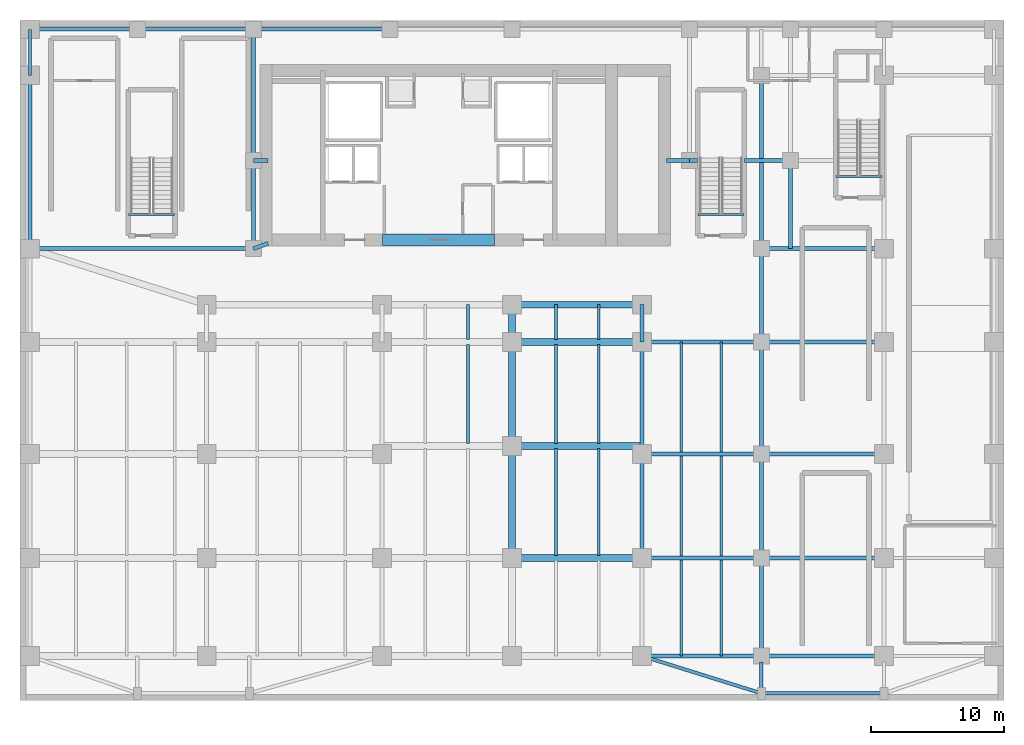
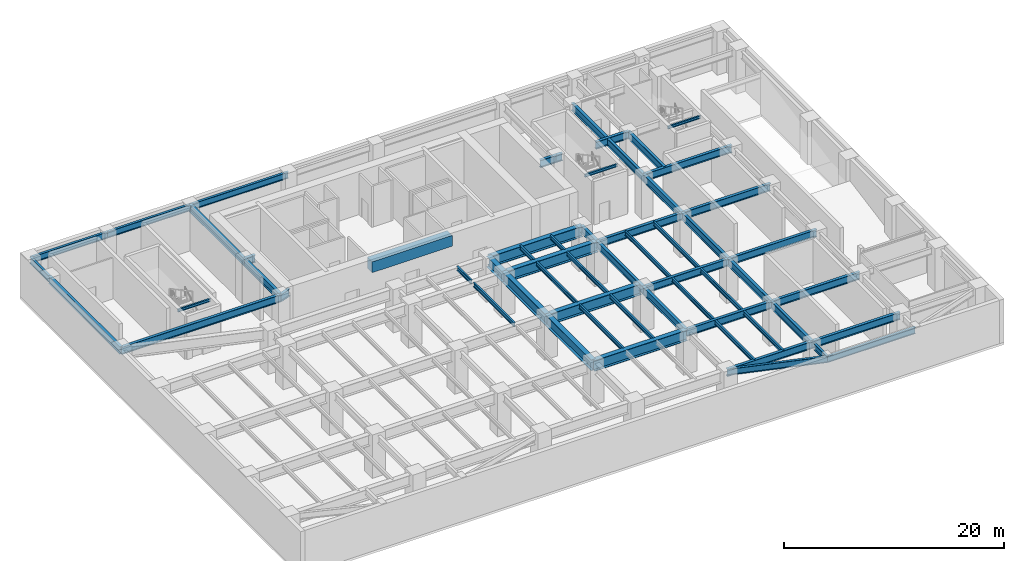
# One storey, part 2 of 9: 59 beams.
"""IFC4 building model written with IfcOpenShell, lengths in metres."""

from ifc_helpers import new_model, si_unit, direction, frame, origin, origin_2d, place, context, subcontext, project, spatial, rectangle, i_section, extrude, source, transform, mapped, material, material_profile, profile_set, type_object, type_shapes, element, save


model = new_model("IFC4")

# Units and contexts
model_context = context("Model", 3, precision=1e-05, world=origin(), true_north=direction((0.0, 1.0)))
body_context = subcontext(model_context, "Body", "Model", "MODEL_VIEW")
ifc_project = project(units=[si_unit("LENGTHUNIT", "METRE"), si_unit("AREAUNIT", "SQUARE_METRE"), si_unit("VOLUMEUNIT", "CUBIC_METRE"), si_unit("PLANEANGLEUNIT", "RADIAN"), si_unit("MASSUNIT", "GRAM", prefix="KILO")], contexts=[model_context])

# Site, building, storey
site_placement = place(None, origin())
site = spatial("IfcSite", under=ifc_project, at=site_placement, CompositionType="ELEMENT")
building_placement = place(site_placement, origin())
building = spatial("IfcBuilding", under=site, at=building_placement, Name="Tolvann Quenvar Hotel", CompositionType="ELEMENT")
storey_placement = place(building_placement, frame((0.0, 0.0, -4.800048828125)))
storey = spatial("IfcBuildingStorey", under=building, at=storey_placement, Name="B01", CompositionType="ELEMENT", Elevation=-4.800048828125)

# Beams
ifc_material_1 = material(Name="Concrete S80 (80 MPa)", Category="concrete")
ifc_material_profile_1 = material_profile(ifc_material_1, rectangle(XDim=0.89990234375, YDim=1.199951171875, at=origin_2d()), Name="RC900x1200")
ifc_profile_set_1 = profile_set([ifc_material_profile_1], Name="Concrete S80 (80 MPa)")
beam_type_1 = type_object("IfcBeamType", Name="BM_LINT_RC900x1200", PredefinedType="LINTEL", material=ifc_profile_set_1)
shared_shape_1 = source(origin(), body_context, "Body", "SweptSolid", [
    extrude(rectangle(XDim=0.89990234375, YDim=1.199951171875, at=origin_2d()), origin(), (0.0, 0.0, 1.0), 8.39990234375),
])
type_shapes(beam_type_1, [shared_shape_1])
beam_1_placement = place(storey_placement, frame((18.800048828125, 32.050048828125, 3.93994140625), z_axis=(1.0, 0.0, 0.0), x_axis=(0.0, 1.0, 0.0)))
element("IfcBeam", 1, at=beam_1_placement, inside=storey, type_object=beam_type_1, Name="Core Coupling Lintel Beam (B01)", PredefinedType="LINTEL", context=body_context, shape_type="MappedRepresentation", body=[
    mapped(shared_shape_1, transform((0.0, 0.0, 0.0), x_axis=(1.0, 0.0, 0.0), y_axis=(0.0, 1.0, 0.0), z_axis=(0.0, 0.0, 1.0), scale=1.0)),
])
ifc_material_2 = material(Name="Steel Grade 350", Category="steel")
ifc_material_profile_2 = material_profile(ifc_material_2, i_section(OverallWidth=0.300048828125, OverallDepth=0.81591796875, WebThickness=0.010009765625, FlangeThickness=0.028076171875, at=origin_2d()), Name="800WB192")
ifc_profile_set_2 = profile_set([ifc_material_profile_2], Name="Steel Grade 350")
beam_type_2 = type_object("IfcBeamType", Name="BM_GIRD_800WB192", PredefinedType="BEAM", material=ifc_profile_set_2)
shared_shape_2 = source(origin(), body_context, "Body", "SweptSolid", [
    extrude(i_section(OverallWidth=0.300048828125, OverallDepth=0.81591796875, WebThickness=0.010009765625, FlangeThickness=0.028076171875, at=origin_2d()), origin(), (0.0, 0.0, 1.0), 7.349853515625),
])
beam_2_placement = place(storey_placement, frame((47.199951171875, 0.85009765625, 4.132080078125), z_axis=(0.0, 1.0, 0.0), x_axis=(-1.0, 0.0, 0.0)))
element("IfcBeam", 2, at=beam_2_placement, inside=storey, type_object=beam_type_2, Name="BM-B01-NS-H-0", PredefinedType="BEAM", context=body_context, shape_type="MappedRepresentation", body=[
    mapped(shared_shape_2, transform((0.0, 0.0, 0.0), x_axis=(1.0, 0.0, 0.0), y_axis=(0.0, 1.0, 0.0), z_axis=(0.0, 0.0, 1.0), scale=1.0)),
])
shared_shape_3 = source(origin(), body_context, "Body", "SweptSolid", [
    extrude(i_section(OverallWidth=0.300048828125, OverallDepth=0.81591796875, WebThickness=0.010009765625, FlangeThickness=0.028076171875, at=origin_2d()), origin(), (0.0, 0.0, 1.0), 7.800048828125),
])
for number, where, z_axis, x_axis, name in (
    (3, (38.25, 8.199951171875, 4.132080078125), (0.0, 1.0, 0.0), (-1.0, 0.0, 0.0), "BM-B01-NS-APE-1"),
    (4, (47.199951171875, 8.199951171875, 4.132080078125), (0.0, 1.0, 0.0), (-1.0, 0.0, 0.0), "BM-B01-NS-H-1"),
):
    element("IfcBeam", number, at=place(storey_placement, frame(where, z_axis=z_axis, x_axis=x_axis)), inside=storey, type_object=beam_type_2, Name=name, PredefinedType="BEAM", context=body_context, shape_type="MappedRepresentation", body=[
        mapped(shared_shape_3, transform((0.0, 0.0, 0.0), x_axis=(1.0, 0.0, 0.0), y_axis=(0.0, 1.0, 0.0), z_axis=(0.0, 0.0, 1.0), scale=1.0)),
    ])
shared_shape_4 = source(origin(), body_context, "Body", "SweptSolid", [
    extrude(i_section(OverallWidth=0.300048828125, OverallDepth=0.81591796875, WebThickness=0.010009765625, FlangeThickness=0.028076171875, at=origin_2d()), origin(), (0.0, 0.0, 1.0), 8.39990234375),
])
for number, where, z_axis, x_axis, name in (
    (5, (38.25, 16.0, 4.132080078125), (0.0, 1.0, 0.0), (-1.0, 0.0, 0.0), "BM-B01-NS-APE-2"),
    (6, (47.199951171875, 16.0, 4.132080078125), (0.0, 1.0, 0.0), (-1.0, 0.0, 0.0), "BM-B01-NS-H-2"),
):
    element("IfcBeam", number, at=place(storey_placement, frame(where, z_axis=z_axis, x_axis=x_axis)), inside=storey, type_object=beam_type_2, Name=name, PredefinedType="BEAM", context=body_context, shape_type="MappedRepresentation", body=[
        mapped(shared_shape_4, transform((0.0, 0.0, 0.0), x_axis=(1.0, 0.0, 0.0), y_axis=(0.0, 1.0, 0.0), z_axis=(0.0, 0.0, 1.0), scale=1.0)),
    ])
shared_shape_5 = source(origin(), body_context, "Body", "SweptSolid", [
    extrude(i_section(OverallWidth=0.300048828125, OverallDepth=0.81591796875, WebThickness=0.010009765625, FlangeThickness=0.028076171875, at=origin_2d()), origin(), (0.0, 0.0, 1.0), 2.800048828125),
])
beam_3_placement = place(storey_placement, frame((38.25, 24.39990234375, 4.132080078125), z_axis=(0.0, 1.0, 0.0), x_axis=(-1.0, 0.0, 0.0)))
element("IfcBeam", 7, at=beam_3_placement, inside=storey, type_object=beam_type_2, Name="BM-B01-NS-APE-3", PredefinedType="BEAM", context=body_context, shape_type="MappedRepresentation", body=[
    mapped(shared_shape_5, transform((0.0, 0.0, 0.0), x_axis=(1.0, 0.0, 0.0), y_axis=(0.0, 1.0, 0.0), z_axis=(0.0, 0.0, 1.0), scale=1.0)),
])
ifc_material_profile_3 = material_profile(ifc_material_2, i_section(OverallWidth=0.5, OverallDepth=1.199951171875, WebThickness=0.01611328125, FlangeThickness=0.0400390625, at=origin_2d()), Name="1200WB455")
ifc_profile_set_3 = profile_set([ifc_material_profile_3], Name="Steel Grade 350")
beam_type_3 = type_object("IfcBeamType", Name="BM_TG_1200WB455", PredefinedType="USERDEFINED", material=ifc_profile_set_3)
shared_shape_6 = source(origin(), body_context, "Body", "SweptSolid", [
    extrude(i_section(OverallWidth=0.5, OverallDepth=1.199951171875, WebThickness=0.01611328125, FlangeThickness=0.0400390625, at=origin_2d()), origin(), (0.0, 0.0, 1.0), 9.75),
])
for number, where, z_axis, x_axis, name in (
    (8, (28.5, 8.199951171875, 3.93994140625), (1.0, 0.0, 0.0), (0.0, 1.0, 0.0), "BM-B01-GA2-82"),
    (9, (28.5, 16.60009765625, 3.93994140625), (1.0, 0.0, 0.0), (0.0, 1.0, 0.0), "BM-B01-GA2-166"),
    (10, (28.5, 24.39990234375, 3.93994140625), (1.0, 0.0, 0.0), (0.0, 1.0, 0.0), "BM-B01-GA2-244"),
    (11, (28.5, 27.199951171875, 3.93994140625), (1.0, 0.0, 0.0), (0.0, 1.0, 0.0), "BM-B01-GA2-272"),
):
    element("IfcBeam", number, at=place(storey_placement, frame(where, z_axis=z_axis, x_axis=x_axis)), inside=storey, type_object=beam_type_3, Name=name, ObjectType="TRANSFER GIRDER", PredefinedType="USERDEFINED", context=body_context, shape_type="MappedRepresentation", body=[
        mapped(shared_shape_6, transform((0.0, 0.0, 0.0), x_axis=(1.0, 0.0, 0.0), y_axis=(0.0, 1.0, 0.0), z_axis=(0.0, 0.0, 1.0), scale=1.0)),
    ])
shared_shape_7 = source(origin(), body_context, "Body", "SweptSolid", [
    extrude(i_section(OverallWidth=0.5, OverallDepth=1.199951171875, WebThickness=0.01611328125, FlangeThickness=0.0400390625, at=origin_2d()), origin(), (0.0, 0.0, 1.0), 8.400146484375),
])
beam_4_placement = place(storey_placement, frame((28.5, 8.199951171875, 3.93994140625), z_axis=(0.0, 1.0, 0.0), x_axis=(-1.0, 0.0, 0.0)))
element("IfcBeam", 12, at=beam_4_placement, inside=storey, type_object=beam_type_3, Name="BM-B01-ARCH-NS-8", ObjectType="TRANSFER GIRDER", PredefinedType="USERDEFINED", context=body_context, shape_type="MappedRepresentation", body=[
    mapped(shared_shape_7, transform((0.0, 0.0, 0.0), x_axis=(1.0, 0.0, 0.0), y_axis=(0.0, 1.0, 0.0), z_axis=(0.0, 0.0, 1.0), scale=1.0)),
])
shared_shape_8 = source(origin(), body_context, "Body", "SweptSolid", [
    extrude(i_section(OverallWidth=0.5, OverallDepth=1.199951171875, WebThickness=0.01611328125, FlangeThickness=0.0400390625, at=origin_2d()), origin(), (0.0, 0.0, 1.0), 7.7998046875),
])
beam_5_placement = place(storey_placement, frame((28.5, 16.60009765625, 3.93994140625), z_axis=(0.0, 1.0, 0.0), x_axis=(-1.0, 0.0, 0.0)))
element("IfcBeam", 13, at=beam_5_placement, inside=storey, type_object=beam_type_3, Name="BM-B01-ARCH-NS-16", ObjectType="TRANSFER GIRDER", PredefinedType="USERDEFINED", context=body_context, shape_type="MappedRepresentation", body=[
    mapped(shared_shape_8, transform((0.0, 0.0, 0.0), x_axis=(1.0, 0.0, 0.0), y_axis=(0.0, 1.0, 0.0), z_axis=(0.0, 0.0, 1.0), scale=1.0)),
])
shared_shape_9 = source(origin(), body_context, "Body", "SweptSolid", [
    extrude(i_section(OverallWidth=0.5, OverallDepth=1.199951171875, WebThickness=0.01611328125, FlangeThickness=0.0400390625, at=origin_2d()), origin(), (0.0, 0.0, 1.0), 2.800048828125),
])
type_shapes(beam_type_3, [shared_shape_6, shared_shape_7, shared_shape_8, shared_shape_9])
beam_6_placement = place(storey_placement, frame((28.5, 24.39990234375, 3.93994140625), z_axis=(0.0, 1.0, 0.0), x_axis=(-1.0, 0.0, 0.0)))
element("IfcBeam", 14, at=beam_6_placement, inside=storey, type_object=beam_type_3, Name="BM-B01-ARCH-NS-24", ObjectType="TRANSFER GIRDER", PredefinedType="USERDEFINED", context=body_context, shape_type="MappedRepresentation", body=[
    mapped(shared_shape_9, transform((0.0, 0.0, 0.0), x_axis=(1.0, 0.0, 0.0), y_axis=(0.0, 1.0, 0.0), z_axis=(0.0, 0.0, 1.0), scale=1.0)),
])
shared_shape_10 = source(origin(), body_context, "Body", "SweptSolid", [
    extrude(i_section(OverallWidth=0.300048828125, OverallDepth=0.81591796875, WebThickness=0.010009765625, FlangeThickness=0.028076171875, at=origin_2d()), origin(), (0.0, 0.0, 1.0), 8.949951171875),
])
for number, where, z_axis, x_axis, name in (
    (15, (38.25, 0.85009765625, 4.132080078125), (1.0, 0.0, 0.0), (0.0, 1.0, 0.0), "BM-B01-GE1-1"),
    (16, (38.25, 8.199951171875, 4.132080078125), (1.0, 0.0, 0.0), (0.0, 1.0, 0.0), "BM-B01-GE1-2"),
    (17, (38.25, 16.0, 4.132080078125), (1.0, 0.0, 0.0), (0.0, 1.0, 0.0), "BM-B01-GE1-3"),
    (18, (38.25, 24.39990234375, 4.132080078125), (1.0, 0.0, 0.0), (0.0, 1.0, 0.0), "BM-B01-GE1-4"),
):
    element("IfcBeam", number, at=place(storey_placement, frame(where, z_axis=z_axis, x_axis=x_axis)), inside=storey, type_object=beam_type_2, Name=name, PredefinedType="BEAM", context=body_context, shape_type="MappedRepresentation", body=[
        mapped(shared_shape_10, transform((0.0, 0.0, 0.0), x_axis=(1.0, 0.0, 0.0), y_axis=(0.0, 1.0, 0.0), z_axis=(0.0, 0.0, 1.0), scale=1.0)),
    ])
shared_shape_11 = source(origin(), body_context, "Body", "SweptSolid", [
    extrude(i_section(OverallWidth=0.300048828125, OverallDepth=0.81591796875, WebThickness=0.010009765625, FlangeThickness=0.028076171875, at=origin_2d()), origin(), (0.0, 0.0, 1.0), 9.199951171875),
])
for number, where, z_axis, x_axis, name in (
    (19, (47.199951171875, 0.85009765625, 4.132080078125), (1.0, 0.0, 0.0), (0.0, 1.0, 0.0), "BM-B01-GE2-1"),
    (20, (47.199951171875, 8.199951171875, 4.132080078125), (1.0, 0.0, 0.0), (0.0, 1.0, 0.0), "BM-B01-GE2-2"),
    (21, (47.199951171875, 16.0, 4.132080078125), (1.0, 0.0, 0.0), (0.0, 1.0, 0.0), "BM-B01-GE2-3"),
    (22, (47.199951171875, 24.39990234375, 4.132080078125), (1.0, 0.0, 0.0), (0.0, 1.0, 0.0), "BM-B01-GE2-4"),
    (23, (47.199951171875, 31.39990234375, 4.132080078125), (1.0, 0.0, 0.0), (0.0, 1.0, 0.0), "BM-B01-GE2-5"),
):
    element("IfcBeam", number, at=place(storey_placement, frame(where, z_axis=z_axis, x_axis=x_axis)), inside=storey, type_object=beam_type_2, Name=name, PredefinedType="BEAM", context=body_context, shape_type="MappedRepresentation", body=[
        mapped(shared_shape_11, transform((0.0, 0.0, 0.0), x_axis=(1.0, 0.0, 0.0), y_axis=(0.0, 1.0, 0.0), z_axis=(0.0, 0.0, 1.0), scale=1.0)),
    ])
shared_shape_12 = source(origin(), body_context, "Body", "SweptSolid", [
    extrude(i_section(OverallWidth=0.300048828125, OverallDepth=0.81591796875, WebThickness=0.010009765625, FlangeThickness=0.028076171875, at=origin_2d()), origin(), (0.0, 0.0, 1.0), 7.0),
])
beam_7_placement = place(storey_placement, frame((47.199951171875, 24.39990234375, 4.132080078125), z_axis=(0.0, 1.0, 0.0), x_axis=(-1.0, 0.0, 0.0)))
element("IfcBeam", 24, at=beam_7_placement, inside=storey, type_object=beam_type_2, Name="BM-B01-NS-H-3", PredefinedType="BEAM", context=body_context, shape_type="MappedRepresentation", body=[
    mapped(shared_shape_12, transform((0.0, 0.0, 0.0), x_axis=(1.0, 0.0, 0.0), y_axis=(0.0, 1.0, 0.0), z_axis=(0.0, 0.0, 1.0), scale=1.0)),
])
shared_shape_13 = source(origin(), body_context, "Body", "SweptSolid", [
    extrude(i_section(OverallWidth=0.300048828125, OverallDepth=0.81591796875, WebThickness=0.010009765625, FlangeThickness=0.028076171875, at=origin_2d()), origin(), (0.0, 0.0, 1.0), 13.0),
])
for number, where, z_axis, x_axis, name in (
    (25, (-7.64990234375, 31.39990234375, 4.132080078125), (0.0, 1.0, 0.0), (-1.0, 0.0, 0.0), "BM-B01-NS-A-4"),
    (26, (47.199951171875, 31.39990234375, 4.132080078125), (0.0, 1.0, 0.0), (-1.0, 0.0, 0.0), "BM-B01-NS-H-4"),
):
    element("IfcBeam", number, at=place(storey_placement, frame(where, z_axis=z_axis, x_axis=x_axis)), inside=storey, type_object=beam_type_2, Name=name, PredefinedType="BEAM", context=body_context, shape_type="MappedRepresentation", body=[
        mapped(shared_shape_13, transform((0.0, 0.0, 0.0), x_axis=(1.0, 0.0, 0.0), y_axis=(0.0, 1.0, 0.0), z_axis=(0.0, 0.0, 1.0), scale=1.0)),
    ])
ifc_material_profile_4 = material_profile(ifc_material_2, i_section(OverallWidth=0.25, OverallDepth=0.699951171875, WebThickness=0.010009765625, FlangeThickness=0.02392578125, at=origin_2d()), Name="700WB150")
ifc_profile_set_4 = profile_set([ifc_material_profile_4], Name="Steel Grade 350")
beam_type_4 = type_object("IfcBeamType", Name="BM_GIRD_700WB150", PredefinedType="BEAM", material=ifc_profile_set_4)
shared_shape_14 = source(origin(), body_context, "Body", "SweptSolid", [
    extrude(i_section(OverallWidth=0.25, OverallDepth=0.699951171875, WebThickness=0.010009765625, FlangeThickness=0.02392578125, at=origin_2d()), origin(), (0.0, 0.0, 1.0), 3.4501953125),
])
beam_8_placement = place(storey_placement, frame((-7.64990234375, 44.39990234375, 4.18994140625), z_axis=(0.0, 1.0, 0.0), x_axis=(-1.0, 0.0, 0.0)))
element("IfcBeam", 27, at=beam_8_placement, inside=storey, type_object=beam_type_4, Name="BM-B01-NSN-A", PredefinedType="BEAM", context=body_context, shape_type="MappedRepresentation", body=[
    mapped(shared_shape_14, transform((0.0, 0.0, 0.0), x_axis=(1.0, 0.0, 0.0), y_axis=(0.0, 1.0, 0.0), z_axis=(0.0, 0.0, 1.0), scale=1.0)),
])
shared_shape_15 = source(origin(), body_context, "Body", "SweptSolid", [
    extrude(i_section(OverallWidth=0.25, OverallDepth=0.699951171875, WebThickness=0.010009765625, FlangeThickness=0.02392578125, at=origin_2d()), origin(), (0.0, 0.0, 1.0), 2.349853515625),
])
beam_9_placement = place(storey_placement, frame((47.199951171875, -1.949951171875, 4.18994140625), z_axis=(0.0, 1.0, 0.0), x_axis=(-1.0, 0.0, 0.0)))
element("IfcBeam", 28, at=beam_9_placement, inside=storey, type_object=beam_type_4, Name="BM-B01-NSS-H", PredefinedType="BEAM", context=body_context, shape_type="MappedRepresentation", body=[
    mapped(shared_shape_15, transform((0.0, 0.0, 0.0), x_axis=(1.0, 0.0, 0.0), y_axis=(0.0, 1.0, 0.0), z_axis=(0.0, 0.0, 1.0), scale=1.0)),
])
shared_shape_16 = source(origin(), body_context, "Body", "SweptSolid", [
    extrude(i_section(OverallWidth=0.25, OverallDepth=0.699951171875, WebThickness=0.010009765625, FlangeThickness=0.02392578125, at=origin_2d()), origin(), (0.0, 0.0, 1.0), 9.377685546875),
])
beam_10_placement = place(storey_placement, frame((38.25, 0.85009765625, 4.18994140625), z_axis=(0.954383110647, -0.298584792166, 0.0), x_axis=(0.298584792166, 0.954383110647, 0.0)))
element("IfcBeam", 29, at=beam_10_placement, inside=storey, type_object=beam_type_4, Name="BM-B01-EWS-E0", PredefinedType="BEAM", context=body_context, shape_type="MappedRepresentation", body=[
    mapped(shared_shape_16, transform((0.0, 0.0, 0.0), x_axis=(1.0, 0.0, 0.0), y_axis=(0.0, 1.0, 0.0), z_axis=(0.0, 0.0, 1.0), scale=1.0)),
])
shared_shape_17 = source(origin(), body_context, "Body", "SweptSolid", [
    extrude(i_section(OverallWidth=0.25, OverallDepth=0.699951171875, WebThickness=0.010009765625, FlangeThickness=0.02392578125, at=origin_2d()), origin(), (0.0, 0.0, 1.0), 9.199951171875),
])
beam_11_placement = place(storey_placement, frame((47.199951171875, -1.949951171875, 4.18994140625), z_axis=(1.0, 0.0, 0.0), x_axis=(0.0, 1.0, 0.0)))
element("IfcBeam", 30, at=beam_11_placement, inside=storey, type_object=beam_type_4, Name="BM-B01-EWS-E1", PredefinedType="BEAM", context=body_context, shape_type="MappedRepresentation", body=[
    mapped(shared_shape_17, transform((0.0, 0.0, 0.0), x_axis=(1.0, 0.0, 0.0), y_axis=(0.0, 1.0, 0.0), z_axis=(0.0, 0.0, 1.0), scale=1.0)),
])
shared_shape_18 = source(origin(), body_context, "Body", "SweptSolid", [
    extrude(i_section(OverallWidth=0.25, OverallDepth=0.699951171875, WebThickness=0.010009765625, FlangeThickness=0.02392578125, at=origin_2d()), origin(), (0.0, 0.0, 1.0), 8.0498046875),
])
beam_12_placement = place(storey_placement, frame((-7.64990234375, 47.85009765625, 4.18994140625), z_axis=(1.0, 0.0, 0.0), x_axis=(0.0, 1.0, 0.0)))
element("IfcBeam", 31, at=beam_12_placement, inside=storey, type_object=beam_type_4, Name="BM-B01-EWN-0", PredefinedType="BEAM", context=body_context, shape_type="MappedRepresentation", body=[
    mapped(shared_shape_18, transform((0.0, 0.0, 0.0), x_axis=(1.0, 0.0, 0.0), y_axis=(0.0, 1.0, 0.0), z_axis=(0.0, 0.0, 1.0), scale=1.0)),
])
shared_shape_19 = source(origin(), body_context, "Body", "SweptSolid", [
    extrude(i_section(OverallWidth=0.25, OverallDepth=0.699951171875, WebThickness=0.010009765625, FlangeThickness=0.02392578125, at=origin_2d()), origin(), (0.0, 0.0, 1.0), 8.7001953125),
])
beam_13_placement = place(storey_placement, frame((0.39990234375, 47.85009765625, 4.18994140625), z_axis=(1.0, 0.0, 0.0), x_axis=(0.0, 1.0, 0.0)))
element("IfcBeam", 32, at=beam_13_placement, inside=storey, type_object=beam_type_4, Name="BM-B01-EWN-1", PredefinedType="BEAM", context=body_context, shape_type="MappedRepresentation", body=[
    mapped(shared_shape_19, transform((0.0, 0.0, 0.0), x_axis=(1.0, 0.0, 0.0), y_axis=(0.0, 1.0, 0.0), z_axis=(0.0, 0.0, 1.0), scale=1.0)),
])
shared_shape_20 = source(origin(), body_context, "Body", "SweptSolid", [
    extrude(i_section(OverallWidth=0.25, OverallDepth=0.699951171875, WebThickness=0.010009765625, FlangeThickness=0.02392578125, at=origin_2d()), origin(), (0.0, 0.0, 1.0), 10.25),
])
type_shapes(beam_type_4, [shared_shape_14, shared_shape_15, shared_shape_16, shared_shape_17, shared_shape_18, shared_shape_19, shared_shape_20])
beam_14_placement = place(storey_placement, frame((9.10009765625, 47.85009765625, 4.18994140625), z_axis=(1.0, 0.0, 0.0), x_axis=(0.0, 1.0, 0.0)))
element("IfcBeam", 33, at=beam_14_placement, inside=storey, type_object=beam_type_4, Name="BM-B01-EWN-2", PredefinedType="BEAM", context=body_context, shape_type="MappedRepresentation", body=[
    mapped(shared_shape_20, transform((0.0, 0.0, 0.0), x_axis=(1.0, 0.0, 0.0), y_axis=(0.0, 1.0, 0.0), z_axis=(0.0, 0.0, 1.0), scale=1.0)),
])
shared_shape_21 = source(origin(), body_context, "Body", "SweptSolid", [
    extrude(i_section(OverallWidth=0.300048828125, OverallDepth=0.81591796875, WebThickness=0.010009765625, FlangeThickness=0.028076171875, at=origin_2d()), origin(), (0.0, 0.0, 1.0), 16.75),
])
beam_15_placement = place(storey_placement, frame((-7.64990234375, 31.39990234375, 4.132080078125), z_axis=(1.0, 0.0, 0.0), x_axis=(0.0, 1.0, 0.0)))
element("IfcBeam", 34, at=beam_15_placement, inside=storey, type_object=beam_type_2, Name="BM-B01-EW-PCNS", PredefinedType="BEAM", context=body_context, shape_type="MappedRepresentation", body=[
    mapped(shared_shape_21, transform((0.0, 0.0, 0.0), x_axis=(1.0, 0.0, 0.0), y_axis=(0.0, 1.0, 0.0), z_axis=(0.0, 0.0, 1.0), scale=1.0)),
])
shared_shape_22 = source(origin(), body_context, "Body", "SweptSolid", [
    extrude(i_section(OverallWidth=0.300048828125, OverallDepth=0.81591796875, WebThickness=0.010009765625, FlangeThickness=0.028076171875, at=origin_2d()), origin(), (0.0, 0.0, 1.0), 1.17041015625),
])
beam_16_placement = place(storey_placement, frame((9.10009765625, 31.39990234375, 4.132080078125), z_axis=(0.939738597058, 0.34189379813, 0.0), x_axis=(-0.34189379813, 0.939738597058, 0.0)))
element("IfcBeam", 35, at=beam_16_placement, inside=storey, type_object=beam_type_2, Name="BM-B01-EW-PCNS2", PredefinedType="BEAM", context=body_context, shape_type="MappedRepresentation", body=[
    mapped(shared_shape_22, transform((0.0, 0.0, 0.0), x_axis=(1.0, 0.0, 0.0), y_axis=(0.0, 1.0, 0.0), z_axis=(0.0, 0.0, 1.0), scale=1.0)),
])
shared_shape_23 = source(origin(), body_context, "Body", "SweptSolid", [
    extrude(i_section(OverallWidth=0.300048828125, OverallDepth=0.81591796875, WebThickness=0.010009765625, FlangeThickness=0.028076171875, at=origin_2d()), origin(), (0.0, 0.0, 1.0), 6.60009765625),
])
for number, where, z_axis, x_axis, name in (
    (36, (9.10009765625, 31.39990234375, 4.132080078125), (0.0, 1.0, 0.0), (-1.0, 0.0, 0.0), "BM-B01-NSB-PCN1"),
    (37, (49.39990234375, 31.39990234375, 4.132080078125), (0.0, 1.0, 0.0), (-1.0, 0.0, 0.0), "BM-B01-NSB-PIN1"),
):
    element("IfcBeam", number, at=place(storey_placement, frame(where, z_axis=z_axis, x_axis=x_axis)), inside=storey, type_object=beam_type_2, Name=name, PredefinedType="BEAM", context=body_context, shape_type="MappedRepresentation", body=[
        mapped(shared_shape_23, transform((0.0, 0.0, 0.0), x_axis=(1.0, 0.0, 0.0), y_axis=(0.0, 1.0, 0.0), z_axis=(0.0, 0.0, 1.0), scale=1.0)),
    ])
shared_shape_24 = source(origin(), body_context, "Body", "SweptSolid", [
    extrude(i_section(OverallWidth=0.300048828125, OverallDepth=0.81591796875, WebThickness=0.010009765625, FlangeThickness=0.028076171875, at=origin_2d()), origin(), (0.0, 0.0, 1.0), 9.85009765625),
])
beam_17_placement = place(storey_placement, frame((9.10009765625, 38.0, 4.132080078125), z_axis=(0.0, 1.0, 0.0), x_axis=(-1.0, 0.0, 0.0)))
element("IfcBeam", 38, at=beam_17_placement, inside=storey, type_object=beam_type_2, Name="BM-B01-NSB-PCN2", PredefinedType="BEAM", context=body_context, shape_type="MappedRepresentation", body=[
    mapped(shared_shape_24, transform((0.0, 0.0, 0.0), x_axis=(1.0, 0.0, 0.0), y_axis=(0.0, 1.0, 0.0), z_axis=(0.0, 0.0, 1.0), scale=1.0)),
])
shared_shape_25 = source(origin(), body_context, "Body", "SweptSolid", [
    extrude(i_section(OverallWidth=0.300048828125, OverallDepth=0.81591796875, WebThickness=0.010009765625, FlangeThickness=0.028076171875, at=origin_2d()), origin(), (0.0, 0.0, 1.0), 1.099853515625),
])
beam_18_placement = place(storey_placement, frame((9.10009765625, 38.0, 4.132080078125), z_axis=(1.0, 0.0, 0.0), x_axis=(0.0, 1.0, 0.0)))
element("IfcBeam", 39, at=beam_18_placement, inside=storey, type_object=beam_type_2, Name="BM-B01-EW-PCN", PredefinedType="BEAM", context=body_context, shape_type="MappedRepresentation", body=[
    mapped(shared_shape_25, transform((0.0, 0.0, 0.0), x_axis=(1.0, 0.0, 0.0), y_axis=(0.0, 1.0, 0.0), z_axis=(0.0, 0.0, 1.0), scale=1.0)),
])
shared_shape_26 = source(origin(), body_context, "Body", "SweptSolid", [
    extrude(i_section(OverallWidth=0.300048828125, OverallDepth=0.81591796875, WebThickness=0.010009765625, FlangeThickness=0.028076171875, at=origin_2d()), origin(), (0.0, 0.0, 1.0), 1.699951171875),
])
beam_19_placement = place(storey_placement, frame((40.10009765625, 38.0, 4.132080078125), z_axis=(1.0, 0.0, 0.0), x_axis=(0.0, 1.0, 0.0)))
element("IfcBeam", 40, at=beam_19_placement, inside=storey, type_object=beam_type_2, Name="BM-B01-EW-PHN1", PredefinedType="BEAM", context=body_context, shape_type="MappedRepresentation", body=[
    mapped(shared_shape_26, transform((0.0, 0.0, 0.0), x_axis=(1.0, 0.0, 0.0), y_axis=(0.0, 1.0, 0.0), z_axis=(0.0, 0.0, 1.0), scale=1.0)),
])
shared_shape_27 = source(origin(), body_context, "Body", "SweptSolid", [
    extrude(i_section(OverallWidth=0.300048828125, OverallDepth=0.81591796875, WebThickness=0.010009765625, FlangeThickness=0.028076171875, at=origin_2d()), origin(), (0.0, 0.0, 1.0), 0.625),
])
beam_20_placement = place(storey_placement, frame((41.800048828125, 38.0, 4.132080078125), z_axis=(1.0, 0.0, 0.0), x_axis=(0.0, 1.0, 0.0)))
element("IfcBeam", 41, at=beam_20_placement, inside=storey, type_object=beam_type_2, Name="BM-B01-EW-PHN2A", PredefinedType="BEAM", context=body_context, shape_type="MappedRepresentation", body=[
    mapped(shared_shape_27, transform((0.0, 0.0, 0.0), x_axis=(1.0, 0.0, 0.0), y_axis=(0.0, 1.0, 0.0), z_axis=(0.0, 0.0, 1.0), scale=1.0)),
])
shared_shape_28 = source(origin(), body_context, "Body", "SweptSolid", [
    extrude(i_section(OverallWidth=0.300048828125, OverallDepth=0.81591796875, WebThickness=0.010009765625, FlangeThickness=0.028076171875, at=origin_2d()), origin(), (0.0, 0.0, 1.0), 3.474853515625),
])
type_shapes(beam_type_2, [shared_shape_2, shared_shape_3, shared_shape_4, shared_shape_5, shared_shape_10, shared_shape_11, shared_shape_12, shared_shape_13, shared_shape_21, shared_shape_22, shared_shape_23, shared_shape_24, shared_shape_25, shared_shape_26, shared_shape_27, shared_shape_28])
beam_21_placement = place(storey_placement, frame((45.925048828125, 38.0, 4.132080078125), z_axis=(1.0, 0.0, 0.0), x_axis=(0.0, 1.0, 0.0)))
element("IfcBeam", 42, at=beam_21_placement, inside=storey, type_object=beam_type_2, Name="BM-B01-EW-PHN2B", PredefinedType="BEAM", context=body_context, shape_type="MappedRepresentation", body=[
    mapped(shared_shape_28, transform((0.0, 0.0, 0.0), x_axis=(1.0, 0.0, 0.0), y_axis=(0.0, 1.0, 0.0), z_axis=(0.0, 0.0, 1.0), scale=1.0)),
])
ifc_material_profile_5 = material_profile(ifc_material_2, i_section(OverallWidth=0.18994140625, OverallDepth=0.4541015625, WebThickness=0.008544921875, FlangeThickness=0.0126953125, FilletRadius=0.011474609375, at=origin_2d()), Name="460UB67")
ifc_profile_set_5 = profile_set([ifc_material_profile_5], Name="Steel Grade 350")
beam_type_5 = type_object("IfcBeamType", Name="BM_JOIST_460UB67", PredefinedType="JOIST", material=ifc_profile_set_5)
shared_shape_29 = source(origin(), body_context, "Body", "SweptSolid", [
    extrude(i_section(OverallWidth=0.18994140625, OverallDepth=0.4541015625, WebThickness=0.008544921875, FlangeThickness=0.0126953125, FilletRadius=0.011474609375, at=origin_2d()), origin(), (0.0, 0.0, 1.0), 7.205810546875),
])
for number, where, z_axis, x_axis, name in (
    (43, (41.199951171875, 0.85009765625, 4.31298828125), (0.0, 1.0, 0.0), (-1.0, 0.0, 0.0), "BJ-B01-412-8"),
    (44, (44.199951171875, 0.85009765625, 4.31298828125), (0.0, 1.0, 0.0), (-1.0, 0.0, 0.0), "BJ-B01-442-8"),
):
    element("IfcBeam", number, at=place(storey_placement, frame(where, z_axis=z_axis, x_axis=x_axis)), inside=storey, type_object=beam_type_5, Name=name, PredefinedType="JOIST", context=body_context, shape_type="MappedRepresentation", body=[
        mapped(shared_shape_29, transform((0.0, 0.0, 0.0), x_axis=(1.0, 0.0, 0.0), y_axis=(0.0, 1.0, 0.0), z_axis=(0.0, 0.0, 1.0), scale=1.0)),
    ])
shared_shape_30 = source(origin(), body_context, "Body", "SweptSolid", [
    extrude(i_section(OverallWidth=0.18994140625, OverallDepth=0.4541015625, WebThickness=0.008544921875, FlangeThickness=0.0126953125, FilletRadius=0.011474609375, at=origin_2d()), origin(), (0.0, 0.0, 1.0), 7.511962890625),
])
for number, where, z_axis, x_axis, name in (
    (45, (41.199951171875, 8.343994140625, 4.31298828125), (0.0, 1.0, 0.0), (-1.0, 0.0, 0.0), "BJ-B01-412-82"),
    (46, (44.199951171875, 8.343994140625, 4.31298828125), (0.0, 1.0, 0.0), (-1.0, 0.0, 0.0), "BJ-B01-442-82"),
):
    element("IfcBeam", number, at=place(storey_placement, frame(where, z_axis=z_axis, x_axis=x_axis)), inside=storey, type_object=beam_type_5, Name=name, PredefinedType="JOIST", context=body_context, shape_type="MappedRepresentation", body=[
        mapped(shared_shape_30, transform((0.0, 0.0, 0.0), x_axis=(1.0, 0.0, 0.0), y_axis=(0.0, 1.0, 0.0), z_axis=(0.0, 0.0, 1.0), scale=1.0)),
    ])
shared_shape_31 = source(origin(), body_context, "Body", "SweptSolid", [
    extrude(i_section(OverallWidth=0.18994140625, OverallDepth=0.4541015625, WebThickness=0.008544921875, FlangeThickness=0.0126953125, FilletRadius=0.011474609375, at=origin_2d()), origin(), (0.0, 0.0, 1.0), 8.255859375),
])
for number, where, z_axis, x_axis, name in (
    (47, (41.199951171875, 16.14404296875, 4.31298828125), (0.0, 1.0, 0.0), (-1.0, 0.0, 0.0), "BJ-B01-412-160"),
    (48, (44.199951171875, 16.14404296875, 4.31298828125), (0.0, 1.0, 0.0), (-1.0, 0.0, 0.0), "BJ-B01-442-160"),
):
    element("IfcBeam", number, at=place(storey_placement, frame(where, z_axis=z_axis, x_axis=x_axis)), inside=storey, type_object=beam_type_5, Name=name, PredefinedType="JOIST", context=body_context, shape_type="MappedRepresentation", body=[
        mapped(shared_shape_31, transform((0.0, 0.0, 0.0), x_axis=(1.0, 0.0, 0.0), y_axis=(0.0, 1.0, 0.0), z_axis=(0.0, 0.0, 1.0), scale=1.0)),
    ])
ifc_material_profile_6 = material_profile(ifc_material_2, i_section(OverallWidth=0.166015625, OverallDepth=0.306884765625, WebThickness=0.006591796875, FlangeThickness=0.01171875, FilletRadius=0.011474609375, at=origin_2d()), Name="310UB46")
ifc_profile_set_6 = profile_set([ifc_material_profile_6], Name="Steel Grade 350")
beam_type_6 = type_object("IfcBeamType", Name="BM_JOIST_310UB46", PredefinedType="JOIST", material=ifc_profile_set_6)
shared_shape_32 = source(origin(), body_context, "Body", "SweptSolid", [
    extrude(i_section(OverallWidth=0.166015625, OverallDepth=0.306884765625, WebThickness=0.006591796875, FlangeThickness=0.01171875, FilletRadius=0.011474609375, at=origin_2d()), origin(), (0.0, 0.0, 1.0), 3.449951171875),
])
type_shapes(beam_type_6, [shared_shape_32])
for number, where, z_axis, x_axis, name in (
    (49, (-0.25, 33.965087890625, 4.386474609375), (1.0, 0.0, 0.0), (0.0, 1.0, 0.0), "BM-HDR-ST-B1-L00"),
    (50, (42.449951171875, 33.965087890625, 4.386474609375), (1.0, 0.0, 0.0), (0.0, 1.0, 0.0), "BM-HDR-ST-B2-L00"),
    (51, (52.800048828125, 36.81494140625, 4.386474609375), (1.0, 0.0, 0.0), (0.0, 1.0, 0.0), "BM-HDR-ST-B3-L00"),
):
    element("IfcBeam", number, at=place(storey_placement, frame(where, z_axis=z_axis, x_axis=x_axis)), inside=storey, type_object=beam_type_6, Name=name, PredefinedType="JOIST", context=body_context, shape_type="MappedRepresentation", body=[
        mapped(shared_shape_32, transform((0.0, 0.0, 0.0), x_axis=(1.0, 0.0, 0.0), y_axis=(0.0, 1.0, 0.0), z_axis=(0.0, 0.0, 1.0), scale=1.0)),
    ])
shared_shape_33 = source(origin(), body_context, "Body", "SweptSolid", [
    extrude(i_section(OverallWidth=0.18994140625, OverallDepth=0.4541015625, WebThickness=0.008544921875, FlangeThickness=0.0126953125, FilletRadius=0.011474609375, at=origin_2d()), origin(), (0.0, 0.0, 1.0), 8.030029296875),
])
for number, where, z_axis, x_axis, name in (
    (52, (31.800048828125, 8.385009765625, 4.31298828125), (0.0, 1.0, 0.0), (-1.0, 0.0, 0.0), "BJ-B01-ARCH-318-82"),
    (53, (35.0, 8.385009765625, 4.31298828125), (0.0, 1.0, 0.0), (-1.0, 0.0, 0.0), "BJ-B01-ARCH-350-82"),
):
    element("IfcBeam", number, at=place(storey_placement, frame(where, z_axis=z_axis, x_axis=x_axis)), inside=storey, type_object=beam_type_5, Name=name, PredefinedType="JOIST", context=body_context, shape_type="MappedRepresentation", body=[
        mapped(shared_shape_33, transform((0.0, 0.0, 0.0), x_axis=(1.0, 0.0, 0.0), y_axis=(0.0, 1.0, 0.0), z_axis=(0.0, 0.0, 1.0), scale=1.0)),
    ])
shared_shape_34 = source(origin(), body_context, "Body", "SweptSolid", [
    extrude(i_section(OverallWidth=0.18994140625, OverallDepth=0.4541015625, WebThickness=0.008544921875, FlangeThickness=0.0126953125, FilletRadius=0.011474609375, at=origin_2d()), origin(), (0.0, 0.0, 1.0), 7.43017578125),
])
for number, where, z_axis, x_axis, name in (
    (54, (25.199951171875, 16.784912109375, 4.31298828125), (0.0, 1.0, 0.0), (-1.0, 0.0, 0.0), "BJ-B01-ARCH-252-166"),
    (55, (31.800048828125, 16.784912109375, 4.31298828125), (0.0, 1.0, 0.0), (-1.0, 0.0, 0.0), "BJ-B01-ARCH-318-166"),
    (56, (35.0, 16.784912109375, 4.31298828125), (0.0, 1.0, 0.0), (-1.0, 0.0, 0.0), "BJ-B01-ARCH-350-166"),
):
    element("IfcBeam", number, at=place(storey_placement, frame(where, z_axis=z_axis, x_axis=x_axis)), inside=storey, type_object=beam_type_5, Name=name, PredefinedType="JOIST", context=body_context, shape_type="MappedRepresentation", body=[
        mapped(shared_shape_34, transform((0.0, 0.0, 0.0), x_axis=(1.0, 0.0, 0.0), y_axis=(0.0, 1.0, 0.0), z_axis=(0.0, 0.0, 1.0), scale=1.0)),
    ])
shared_shape_35 = source(origin(), body_context, "Body", "SweptSolid", [
    extrude(i_section(OverallWidth=0.18994140625, OverallDepth=0.4541015625, WebThickness=0.008544921875, FlangeThickness=0.0126953125, FilletRadius=0.011474609375, at=origin_2d()), origin(), (0.0, 0.0, 1.0), 2.614990234375),
])
type_shapes(beam_type_5, [shared_shape_29, shared_shape_30, shared_shape_31, shared_shape_33, shared_shape_34, shared_shape_35])
for number, where, z_axis, x_axis, name in (
    (57, (25.199951171875, 24.5849609375, 4.31298828125), (0.0, 1.0, 0.0), (-1.0, 0.0, 0.0), "BJ-B01-ARCH-252-244"),
    (58, (31.800048828125, 24.5849609375, 4.31298828125), (0.0, 1.0, 0.0), (-1.0, 0.0, 0.0), "BJ-B01-ARCH-318-244"),
    (59, (35.0, 24.5849609375, 4.31298828125), (0.0, 1.0, 0.0), (-1.0, 0.0, 0.0), "BJ-B01-ARCH-350-244"),
):
    element("IfcBeam", number, at=place(storey_placement, frame(where, z_axis=z_axis, x_axis=x_axis)), inside=storey, type_object=beam_type_5, Name=name, PredefinedType="JOIST", context=body_context, shape_type="MappedRepresentation", body=[
        mapped(shared_shape_35, transform((0.0, 0.0, 0.0), x_axis=(1.0, 0.0, 0.0), y_axis=(0.0, 1.0, 0.0), z_axis=(0.0, 0.0, 1.0), scale=1.0)),
    ])

save(model, "model.ifc")
